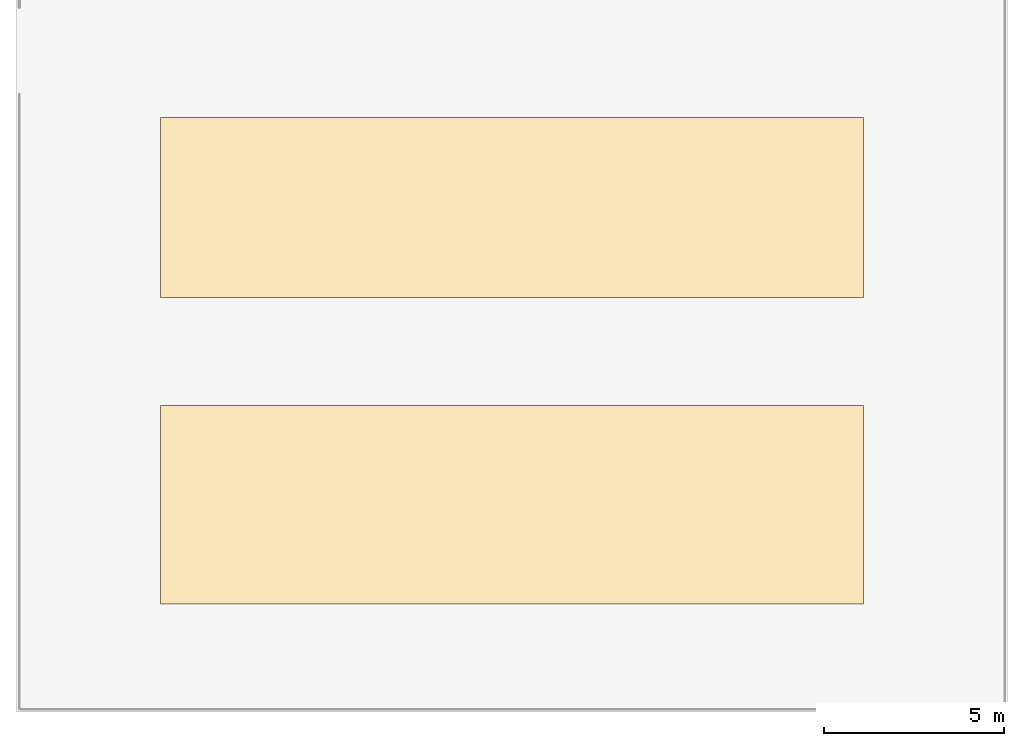
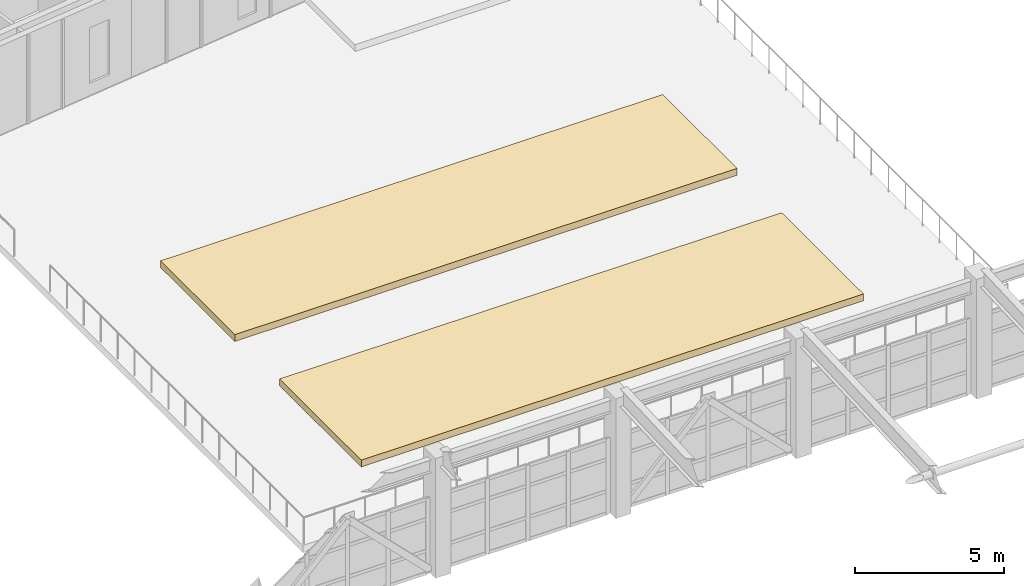
# One storey, part 110 of 150: 2 coverings.
"""IFC4 building model written with IfcOpenShell, lengths in metres."""

from ifc_helpers import new_model, si_unit, direction, frame, origin, place, context, subcontext, project, spatial, polyline, outline, extrude, material, layer, layer_set, type_object, element, save


model = new_model("IFC4")

# Units and contexts
model_context = context("Model", 3, precision=1e-05, world=origin(), true_north=direction((0.0, 1.0)))
body_context = subcontext(model_context, "Body", "Model", "MODEL_VIEW")
ifc_project = project(units=[si_unit("LENGTHUNIT", "METRE"), si_unit("AREAUNIT", "SQUARE_METRE"), si_unit("VOLUMEUNIT", "CUBIC_METRE"), si_unit("PLANEANGLEUNIT", "RADIAN"), si_unit("MASSUNIT", "GRAM", prefix="KILO")], contexts=[model_context])

# Site, building, storey
site_placement = place(None, origin())
site = spatial("IfcSite", under=ifc_project, at=site_placement, CompositionType="ELEMENT")
building_placement = place(site_placement, origin())
building = spatial("IfcBuilding", under=site, at=building_placement, Name="Kestramere Prow Commons", CompositionType="ELEMENT")
storey_placement = place(building_placement, frame((0.0, 0.0, 4.5)))
storey = spatial("IfcBuildingStorey", under=building, at=storey_placement, Name="L01", CompositionType="ELEMENT", Elevation=4.5)

# Coverings
ifc_material = material(Name="Planted Tropical Rain-Garden Soil and Foliage")
ifc_layer = layer(ifc_material, 0.280029296875)
ifc_layer_set = layer_set([ifc_layer], Name="Planted Tropical Rain-Garden Soil and Foliage")
covering_type = type_object("IfcCoveringType", Name="COV-PLANT-STRIP", PredefinedType="USERDEFINED", material=ifc_layer_set)
covering_1_placement = place(storey_placement, origin())
element("IfcCovering", 1, at=covering_1_placement, inside=storey, type_object=covering_type, Name="Raised Courtyard Planted Rain-Garden Bed PLST-CRT-W1", ObjectType="PLANTED STRIP", PredefinedType="USERDEFINED", context=body_context, shape_type="SweptSolid", body=[
    extrude(outline(polyline([(24.0, 50.0), (24.0, 55.5), (43.5, 55.5), (43.5, 50.0), (24.0, 50.0)])), origin(), (0.0, 0.0, 1.0), 0.280029296875),
])
covering_2_placement = place(storey_placement, origin())
element("IfcCovering", 2, at=covering_2_placement, inside=storey, type_object=covering_type, Name="Raised Courtyard Planted Rain-Garden Bed PLST-CRT-W2", ObjectType="PLANTED STRIP", PredefinedType="USERDEFINED", context=body_context, shape_type="SweptSolid", body=[
    extrude(outline(polyline([(24.0, 58.5), (24.0, 63.5), (43.5, 63.5), (43.5, 58.5), (24.0, 58.5)])), origin(), (0.0, 0.0, 1.0), 0.280029296875),
])

save(model, "model.ifc")
